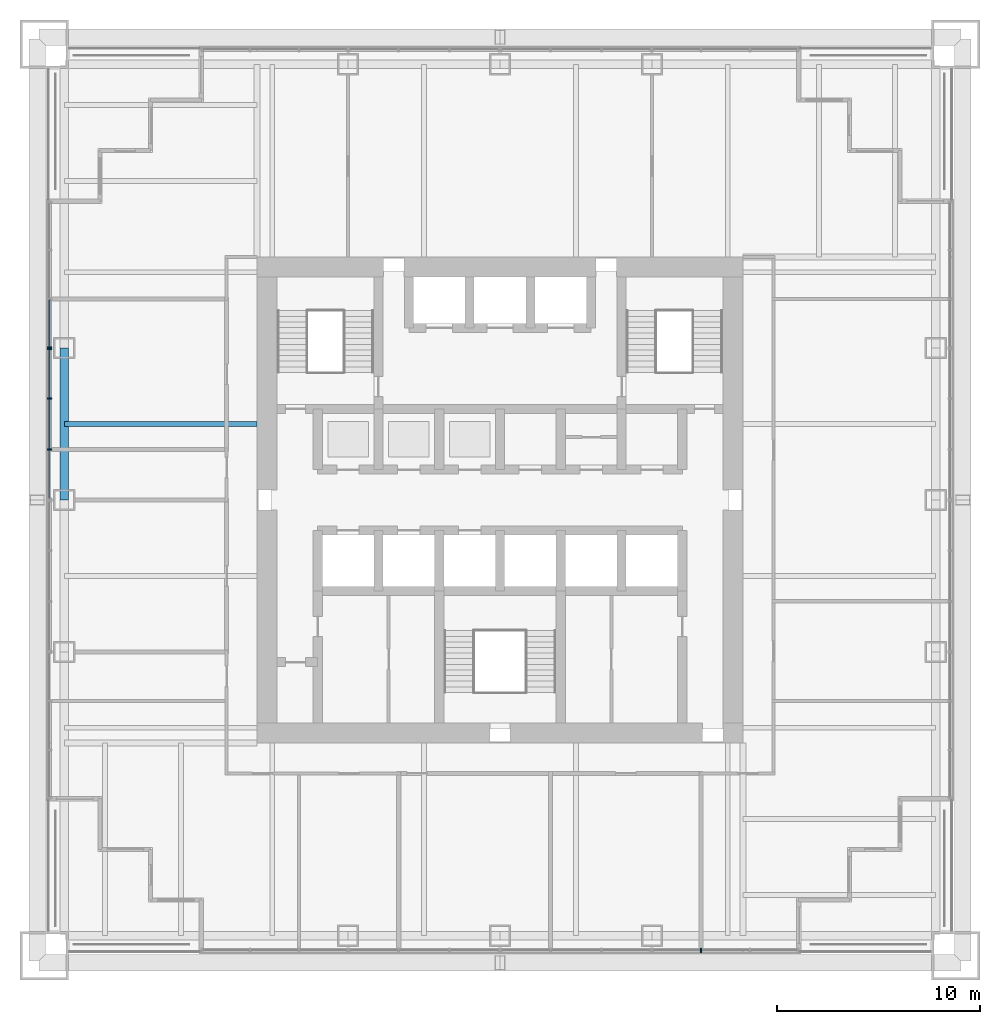
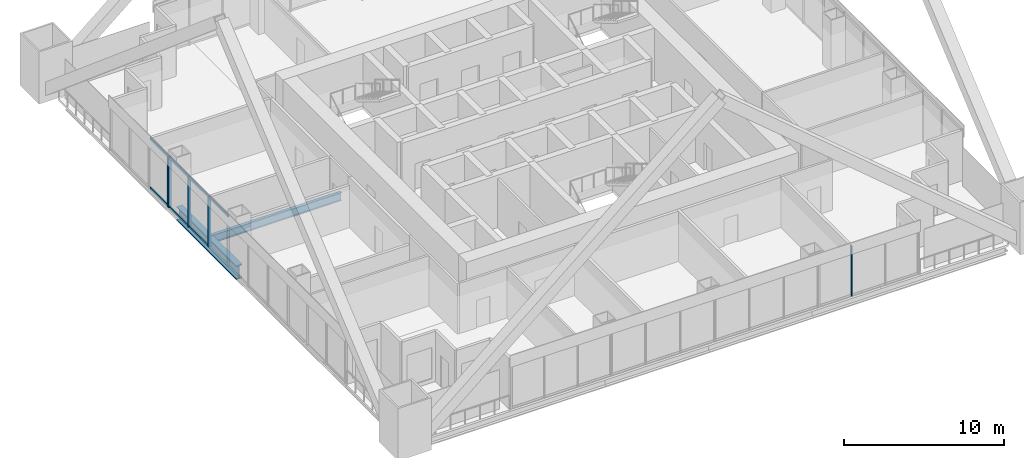
# One storey, part 3 of 14: 12 members, 2 beams, 3 elements without a shape of their own.
"""IFC4 building model written with IfcOpenShell, lengths in metres."""

from ifc_helpers import new_model, si_unit, direction, frame, origin, origin_2d, place, context, subcontext, project, spatial, rectangle, i_section, extrude, material, material_profile, profile_set, type_object, element, aggregate, save


model = new_model("IFC4")

# Units and contexts
model_context = context("Model", 3, precision=1e-05, world=origin(), true_north=direction((0.0, 1.0)))
body_context = subcontext(model_context, "Body", "Model", "MODEL_VIEW")
ifc_project = project(units=[si_unit("LENGTHUNIT", "METRE"), si_unit("AREAUNIT", "SQUARE_METRE"), si_unit("VOLUMEUNIT", "CUBIC_METRE"), si_unit("PLANEANGLEUNIT", "RADIAN"), si_unit("MASSUNIT", "GRAM", prefix="KILO")], contexts=[model_context])

# Site, building, storey
site_placement = place(None, origin())
site = spatial("IfcSite", under=ifc_project, at=site_placement, CompositionType="ELEMENT")
building_placement = place(site_placement, origin())
building = spatial("IfcBuilding", under=site, at=building_placement, Name="Tarangal Relay Tower", CompositionType="ELEMENT")
storey_placement = place(building_placement, frame((0.0, 0.0, 177.89990234375)))
storey = spatial("IfcBuildingStorey", under=building, at=storey_placement, Name="L36", CompositionType="ELEMENT", Elevation=177.89990234375)

# Beams
ifc_material_1 = material(Name="Steel ASTM A992", Category="steel")
ifc_material_profile_1 = material_profile(ifc_material_1, i_section(OverallWidth=0.41650390625, OverallDepth=1.0693359375, WebThickness=0.0390625, FlangeThickness=0.070068359375, at=origin_2d()), Name="W40X503")
ifc_profile_set_1 = profile_set([ifc_material_profile_1], Name="Steel ASTM A992")
beam_type_1 = type_object("IfcBeamType", Name="Edge girder W40X503", PredefinedType="SPANDREL", material=ifc_profile_set_1)
beam_1_placement = place(storey_placement, frame((-21.514892578125, 0.0, -0.6845703125), z_axis=(0.0, 1.0, 0.0), x_axis=(-1.0, 0.0, 0.0)))
element("IfcBeam", 1, at=beam_1_placement, inside=storey, type_object=beam_type_1, Name="Edge girder EG8 W L36", PredefinedType="SPANDREL", context=body_context, shape_type="SweptSolid", body=[
    extrude(i_section(OverallWidth=0.41650390625, OverallDepth=1.0693359375, WebThickness=0.0390625, FlangeThickness=0.070068359375, at=origin_2d()), origin(), (0.0, 0.0, 1.0), 7.5),
])
ifc_material_profile_2 = material_profile(ifc_material_1, i_section(OverallWidth=0.22900390625, OverallDepth=0.612060546875, WebThickness=0.011962890625, FlangeThickness=0.01953125, at=origin_2d()), Name="W24X84")
ifc_profile_set_2 = profile_set([ifc_material_profile_2], Name="Steel ASTM A992")
beam_type_2 = type_object("IfcBeamType", Name="Floor beam W24X84", PredefinedType="BEAM", material=ifc_profile_set_2)
beam_2_placement = place(storey_placement, frame((-12.0, 3.75, -0.455810546875), z_axis=(-1.0, 0.0, 0.0), x_axis=(0.0, -1.0, 0.0)))
element("IfcBeam", 2, at=beam_2_placement, inside=storey, type_object=beam_type_2, Name="Floor beam RB12 W L36", PredefinedType="BEAM", context=body_context, shape_type="SweptSolid", body=[
    extrude(i_section(OverallWidth=0.22900390625, OverallDepth=0.612060546875, WebThickness=0.011962890625, FlangeThickness=0.01953125, at=origin_2d()), origin(), (0.0, 0.0, 1.0), 9.514892578125),
])

# Curtain wall, member
ifc_material_2 = material(Name="Unitised curtain wall, dark glass and black aluminium", Category="aluminium")
curtain_wall_type = type_object("IfcCurtainWallType", Name="Curtain wall CW-S", PredefinedType="USERDEFINED", material=ifc_material_2)
curtain_wall_1_placement = place(storey_placement, origin())
curtain_wall_1 = element("IfcCurtainWall", 3, at=curtain_wall_1_placement, inside=storey, type_object=curtain_wall_type, Name="Curtain wall CW-S S facade L36", ObjectType="UNITISED CURTAIN WALL", PredefinedType="USERDEFINED")
ifc_material_3 = material(Name="Black anodised aluminium mullion", Category="aluminium")
ifc_material_profile_3 = material_profile(ifc_material_3, rectangle(XDim=0.219970703125, YDim=0.074951171875, at=origin_2d()), Name="CW-SM 75X220")
ifc_profile_set_3 = profile_set([ifc_material_profile_3], Name="Black anodised aluminium mullion")
member_type_1 = type_object("IfcMemberType", Name="Mullion CW-S 75 x 220", PredefinedType="MULLION", material=ifc_profile_set_3)
member_1_placement = place(storey_placement, frame((9.916748046875, -22.25, 0.0), z_axis=(0.0, 0.0, 1.0), x_axis=(0.0, -1.0, 0.0)))
member_1 = element("IfcMember", 4, at=member_1_placement, type_object=member_type_1, Name="CW-S mullion 3", PredefinedType="MULLION", context=body_context, shape_type="SweptSolid", body=[
    extrude(rectangle(XDim=0.219970703125, YDim=0.074951171875, at=origin_2d()), origin(), (0.0, 0.0, 1.0), 3.85009765625),
])
aggregate(curtain_wall_1, [member_1])

# Curtain wall, members
curtain_wall_2_placement = place(storey_placement, origin())
curtain_wall_2 = element("IfcCurtainWall", 5, at=curtain_wall_2_placement, inside=storey, type_object=curtain_wall_type, Name="Curtain wall CW-S W facade L36", ObjectType="UNITISED CURTAIN WALL", PredefinedType="USERDEFINED")
member_2_placement = place(storey_placement, frame((-22.25, 2.5, 0.0), z_axis=(0.0, 0.0, 1.0), x_axis=(-1.0, 0.0, 0.0)))
member_2 = element("IfcMember", 6, at=member_2_placement, type_object=member_type_1, Name="CW-S mullion 2", PredefinedType="MULLION", context=body_context, shape_type="SweptSolid", body=[
    extrude(rectangle(XDim=0.219970703125, YDim=0.074951171875, at=origin_2d()), origin(), (0.0, 0.0, 1.0), 3.85009765625),
])
member_3_placement = place(storey_placement, frame((-22.25, 5.0, 0.0), z_axis=(0.0, 0.0, 1.0), x_axis=(-1.0, 0.0, 0.0)))
member_3 = element("IfcMember", 7, at=member_3_placement, type_object=member_type_1, Name="CW-S mullion 3", PredefinedType="MULLION", context=body_context, shape_type="SweptSolid", body=[
    extrude(rectangle(XDim=0.219970703125, YDim=0.074951171875, at=origin_2d()), origin(), (0.0, 0.0, 1.0), 3.85009765625),
])
member_4_placement = place(storey_placement, frame((-22.25, 7.46240234375, 0.0), z_axis=(0.0, 0.0, 1.0), x_axis=(-1.0, 0.0, 0.0)))
member_4 = element("IfcMember", 8, at=member_4_placement, type_object=member_type_1, Name="CW-S mullion 4", PredefinedType="MULLION", context=body_context, shape_type="SweptSolid", body=[
    extrude(rectangle(XDim=0.219970703125, YDim=0.074951171875, at=origin_2d()), origin(), (0.0, 0.0, 1.0), 3.85009765625),
])

# Curtain wall, member
curtain_wall_3_placement = place(storey_placement, origin())
curtain_wall_3 = element("IfcCurtainWall", 9, at=curtain_wall_3_placement, inside=storey, type_object=curtain_wall_type, Name="Curtain wall CW-S W facade L36", ObjectType="UNITISED CURTAIN WALL", PredefinedType="USERDEFINED")
member_5_placement = place(storey_placement, frame((-22.25, 7.53759765625, 0.0), z_axis=(0.0, 0.0, 1.0), x_axis=(-1.0, 0.0, 0.0)))
member_5 = element("IfcMember", 10, at=member_5_placement, type_object=member_type_1, Name="CW-S mullion 1", PredefinedType="MULLION", context=body_context, shape_type="SweptSolid", body=[
    extrude(rectangle(XDim=0.219970703125, YDim=0.074951171875, at=origin_2d()), origin(), (0.0, 0.0, 1.0), 3.85009765625),
])

# Member
ifc_material_4 = material(Name="Black anodised aluminium transom", Category="aluminium")
ifc_material_profile_4 = material_profile(ifc_material_4, rectangle(XDim=0.074951171875, YDim=0.179931640625, at=origin_2d()), Name="CW-ST 75X180")
ifc_profile_set_4 = profile_set([ifc_material_profile_4], Name="Black anodised aluminium transom")
member_type_2 = type_object("IfcMemberType", Name="Transom CW-S 75 x 180", PredefinedType="USERDEFINED", material=ifc_profile_set_4)
member_6_placement = place(storey_placement, frame((-22.25, 0.074951171875, 3.8125), z_axis=(0.0, 1.0, 0.0), x_axis=(-1.0, 0.0, 0.0)))
member_6 = element("IfcMember", 11, at=member_6_placement, type_object=member_type_2, Name="CW-S transom 1.2", ObjectType="TRANSOM", PredefinedType="USERDEFINED", context=body_context, shape_type="SweptSolid", body=[
    extrude(rectangle(XDim=0.074951171875, YDim=0.179931640625, at=origin_2d()), origin(), (0.0, 0.0, 1.0), 2.387451171875),
])

member_7_placement = place(storey_placement, frame((-22.25, 2.53759765625, 0.03759765625), z_axis=(0.0, 1.0, 0.0), x_axis=(-1.0, 0.0, 0.0)))
member_7 = element("IfcMember", 12, at=member_7_placement, type_object=member_type_2, Name="CW-S transom 2.1", ObjectType="TRANSOM", PredefinedType="USERDEFINED", context=body_context, shape_type="SweptSolid", body=[
    extrude(rectangle(XDim=0.074951171875, YDim=0.179931640625, at=origin_2d()), origin(), (0.0, 0.0, 1.0), 2.4248046875),
])

member_8_placement = place(storey_placement, frame((-22.25, 2.53759765625, 3.8125), z_axis=(0.0, 1.0, 0.0), x_axis=(-1.0, 0.0, 0.0)))
member_8 = element("IfcMember", 13, at=member_8_placement, type_object=member_type_2, Name="CW-S transom 2.2", ObjectType="TRANSOM", PredefinedType="USERDEFINED", context=body_context, shape_type="SweptSolid", body=[
    extrude(rectangle(XDim=0.074951171875, YDim=0.179931640625, at=origin_2d()), origin(), (0.0, 0.0, 1.0), 2.4248046875),
])

member_9_placement = place(storey_placement, frame((-22.25, 5.03759765625, 0.03759765625), z_axis=(0.0, 1.0, 0.0), x_axis=(-1.0, 0.0, 0.0)))
member_9 = element("IfcMember", 14, at=member_9_placement, type_object=member_type_2, Name="CW-S transom 3.1", ObjectType="TRANSOM", PredefinedType="USERDEFINED", context=body_context, shape_type="SweptSolid", body=[
    extrude(rectangle(XDim=0.074951171875, YDim=0.179931640625, at=origin_2d()), origin(), (0.0, 0.0, 1.0), 2.387451171875),
])

member_10_placement = place(storey_placement, frame((-22.25, 5.03759765625, 3.8125), z_axis=(0.0, 1.0, 0.0), x_axis=(-1.0, 0.0, 0.0)))
member_10 = element("IfcMember", 15, at=member_10_placement, type_object=member_type_2, Name="CW-S transom 3.2", ObjectType="TRANSOM", PredefinedType="USERDEFINED", context=body_context, shape_type="SweptSolid", body=[
    extrude(rectangle(XDim=0.074951171875, YDim=0.179931640625, at=origin_2d()), origin(), (0.0, 0.0, 1.0), 2.387451171875),
])

aggregate(curtain_wall_2, [member_2, member_3, member_4, member_6, member_7, member_8, member_9, member_10])

member_11_placement = place(storey_placement, frame((-22.25, 7.574951171875, 0.03759765625), z_axis=(0.0, 1.0, 0.0), x_axis=(-1.0, 0.0, 0.0)))
member_11 = element("IfcMember", 16, at=member_11_placement, type_object=member_type_2, Name="CW-S transom 1.1", ObjectType="TRANSOM", PredefinedType="USERDEFINED", context=body_context, shape_type="SweptSolid", body=[
    extrude(rectangle(XDim=0.074951171875, YDim=0.179931640625, at=origin_2d()), origin(), (0.0, 0.0, 1.0), 2.30419921875),
])

member_12_placement = place(storey_placement, frame((-22.25, 7.574951171875, 3.8125), z_axis=(0.0, 1.0, 0.0), x_axis=(-1.0, 0.0, 0.0)))
member_12 = element("IfcMember", 17, at=member_12_placement, type_object=member_type_2, Name="CW-S transom 1.2", ObjectType="TRANSOM", PredefinedType="USERDEFINED", context=body_context, shape_type="SweptSolid", body=[
    extrude(rectangle(XDim=0.074951171875, YDim=0.179931640625, at=origin_2d()), origin(), (0.0, 0.0, 1.0), 2.30419921875),
])

aggregate(curtain_wall_3, [member_5, member_11, member_12])

save(model, "model.ifc")
